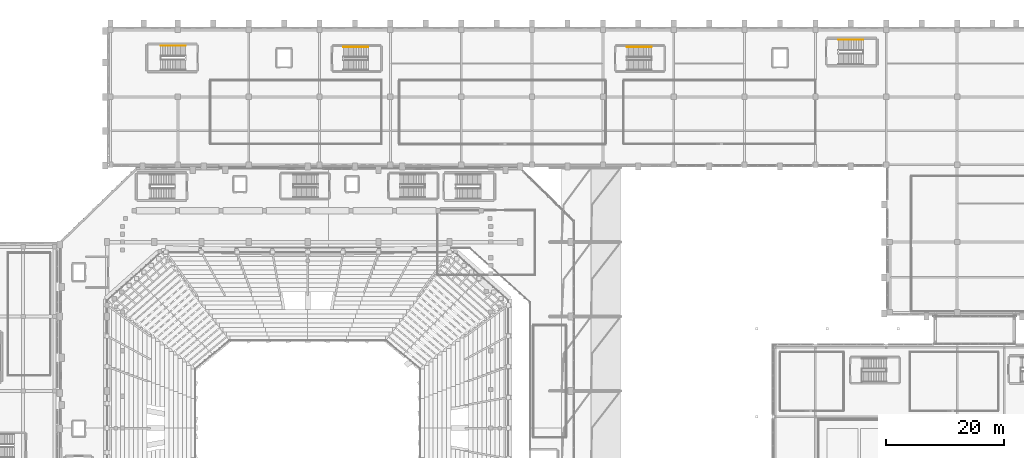
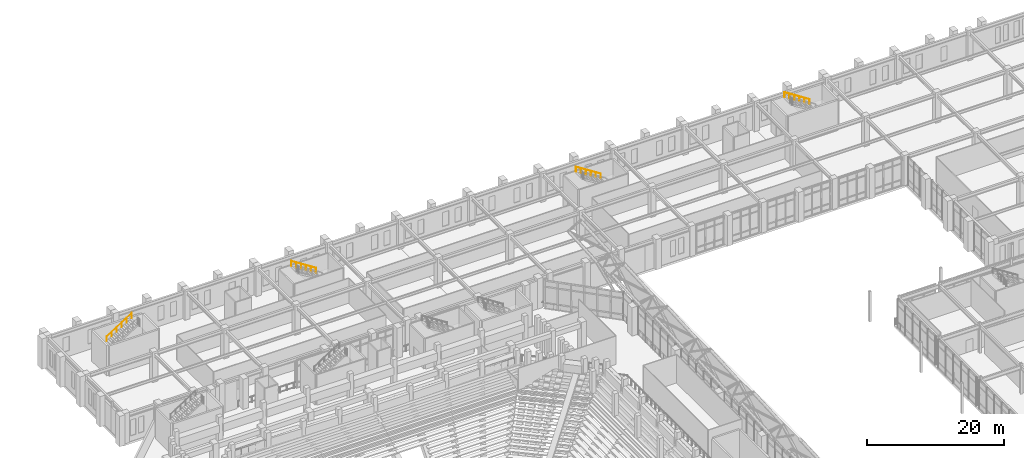
# One storey, part 158 of 159: 4 railings.
"""IFC4 building model written with IfcOpenShell, lengths in metres."""

from ifc_helpers import new_model, si_unit, derived_unit, direction, frame, origin, origin_2d, place, context, subcontext, project, spatial, circle, extrude, material, type_object, element, save


model = new_model("IFC4")

# Units and contexts
model_context = context("Model", 3, precision=1e-05, world=origin(), true_north=direction((0.0, 1.0)))
body_context = subcontext(model_context, "Body", "Model", "MODEL_VIEW")
ifc_project = project(units=[si_unit("LENGTHUNIT", "METRE"), si_unit("AREAUNIT", "SQUARE_METRE"), si_unit("VOLUMEUNIT", "CUBIC_METRE"), si_unit("PLANEANGLEUNIT", "RADIAN"), si_unit("MASSUNIT", "GRAM", prefix="KILO"), derived_unit("THERMALTRANSMITTANCEUNIT", [(si_unit("MASSUNIT", "GRAM", prefix="KILO"), 1), (si_unit("TIMEUNIT", "SECOND"), -3), (si_unit("THERMODYNAMICTEMPERATUREUNIT", "KELVIN"), -1)])], contexts=[model_context])

# Site, building, storey
site_placement = place(None, origin())
site = spatial("IfcSite", under=ifc_project, at=site_placement, CompositionType="ELEMENT")
building_placement = place(site_placement, origin())
building = spatial("IfcBuilding", under=site, at=building_placement, Name="Valcora Ridge Arena", CompositionType="ELEMENT")
storey_placement = place(building_placement, frame((0.0, 0.0, 6.0)))
storey = spatial("IfcBuildingStorey", under=building, at=storey_placement, Name="L01", CompositionType="ELEMENT", Elevation=6.0)

# Railings
ifc_material = material(Name="Galvanized painted steel ASTM A500 Grade B", Category="steel")
railing_type = type_object("IfcRailingType", Name="TY-RAILING-HR-STAIR-900", PredefinedType="HANDRAIL", material=ifc_material)
railing_1_placement = place(storey_placement, frame((33.090087890625, 128.860107421875, 2.699951171875)))
element("IfcRailing", 1, at=railing_1_placement, inside=storey, type_object=railing_type, Name="HR-STAIR-900 RAL-SH-0078", PredefinedType="HANDRAIL", context=body_context, shape_type="SweptSolid", body=[
    extrude(circle(Radius=0.02392578125, at=origin_2d()), frame((0.0, 0.0, 0.8759765625), z_axis=(0.841180064094, 0.0, 0.540755119968), x_axis=(0.0, 1.0, 0.0)), (0.0, 0.0, 1.0), 4.992919921875),
    extrude(circle(Radius=0.02099609375, at=origin_2d()), origin(), (0.0, 0.0, 1.0), 0.851806640625),
    extrude(circle(Radius=0.02099609375, at=origin_2d()), frame((0.840087890625, 0.0, 0.5400390625)), (0.0, 0.0, 1.0), 0.851806640625),
    extrude(circle(Radius=0.02099609375, at=origin_2d()), frame((1.679931640625, 0.0, 1.080078125)), (0.0, 0.0, 1.0), 0.851806640625),
    extrude(circle(Radius=0.02099609375, at=origin_2d()), frame((2.52001953125, 0.0, 1.619873046875)), (0.0, 0.0, 1.0), 0.851806640625),
    extrude(circle(Radius=0.02099609375, at=origin_2d()), frame((3.35986328125, 0.0, 2.159912109375)), (0.0, 0.0, 1.0), 0.851806640625),
    extrude(circle(Radius=0.02099609375, at=origin_2d()), frame((4.199951171875, 0.0, 2.699951171875)), (0.0, 0.0, 1.0), 0.851806640625),
])
railing_2_placement = place(storey_placement, frame((152.110107421875, 129.860107421875, 2.699951171875)))
element("IfcRailing", 2, at=railing_2_placement, inside=storey, type_object=railing_type, Name="HR-STAIR-900 RAL-SH-0086", PredefinedType="HANDRAIL", context=body_context, shape_type="SweptSolid", body=[
    extrude(circle(Radius=0.02392578125, at=origin_2d()), frame((0.0, 0.0, 0.8759765625), z_axis=(-0.841194361566, 0.0, 0.540732878665), x_axis=(0.0, -1.0, 0.0)), (0.0, 0.0, 1.0), 4.9931640625),
    extrude(circle(Radius=0.02099609375, at=origin_2d()), origin(), (0.0, 0.0, 1.0), 0.851806640625),
    extrude(circle(Radius=0.02099609375, at=origin_2d()), frame((-0.840087890625, 0.0, 0.5400390625)), (0.0, 0.0, 1.0), 0.851806640625),
    extrude(circle(Radius=0.02099609375, at=origin_2d()), frame((-1.68017578125, 0.0, 1.080078125)), (0.0, 0.0, 1.0), 0.851806640625),
    extrude(circle(Radius=0.02099609375, at=origin_2d()), frame((-2.52001953125, 0.0, 1.619873046875)), (0.0, 0.0, 1.0), 0.851806640625),
    extrude(circle(Radius=0.02099609375, at=origin_2d()), frame((-3.360107421875, 0.0, 2.159912109375)), (0.0, 0.0, 1.0), 0.851806640625),
    extrude(circle(Radius=0.02099609375, at=origin_2d()), frame((-4.2001953125, 0.0, 2.699951171875)), (0.0, 0.0, 1.0), 0.851806640625),
])
for number, where, name in (
    (3, (68.260009765625, 128.659912109375, 2.699951171875), "HR-STAIR-900 RAL-SH-0158"),
    (4, (116.260009765625, 128.659912109375, 2.699951171875), "HR-STAIR-900 RAL-SH-0164"),
):
    element("IfcRailing", number, at=place(storey_placement, frame(where)), inside=storey, type_object=railing_type, Name=name, PredefinedType="HANDRAIL", context=body_context, shape_type="SweptSolid", body=[
        extrude(circle(Radius=0.02392578125, at=origin_2d()), frame((0.0, 0.0, 0.8759765625), z_axis=(-0.841180064094, 0.0, 0.540755119968), x_axis=(0.0, -1.0, 0.0)), (0.0, 0.0, 1.0), 4.992919921875),
        extrude(circle(Radius=0.02099609375, at=origin_2d()), origin(), (0.0, 0.0, 1.0), 0.851806640625),
        extrude(circle(Radius=0.02099609375, at=origin_2d()), frame((-0.840087890625, 0.0, 0.5400390625)), (0.0, 0.0, 1.0), 0.851806640625),
        extrude(circle(Radius=0.02099609375, at=origin_2d()), frame((-1.679931640625, 0.0, 1.080078125)), (0.0, 0.0, 1.0), 0.851806640625),
        extrude(circle(Radius=0.02099609375, at=origin_2d()), frame((-2.52001953125, 0.0, 1.619873046875)), (0.0, 0.0, 1.0), 0.851806640625),
        extrude(circle(Radius=0.02099609375, at=origin_2d()), frame((-3.35986328125, 0.0, 2.159912109375)), (0.0, 0.0, 1.0), 0.851806640625),
        extrude(circle(Radius=0.02099609375, at=origin_2d()), frame((-4.199951171875, 0.0, 2.699951171875)), (0.0, 0.0, 1.0), 0.851806640625),
    ])

save(model, "model.ifc")
